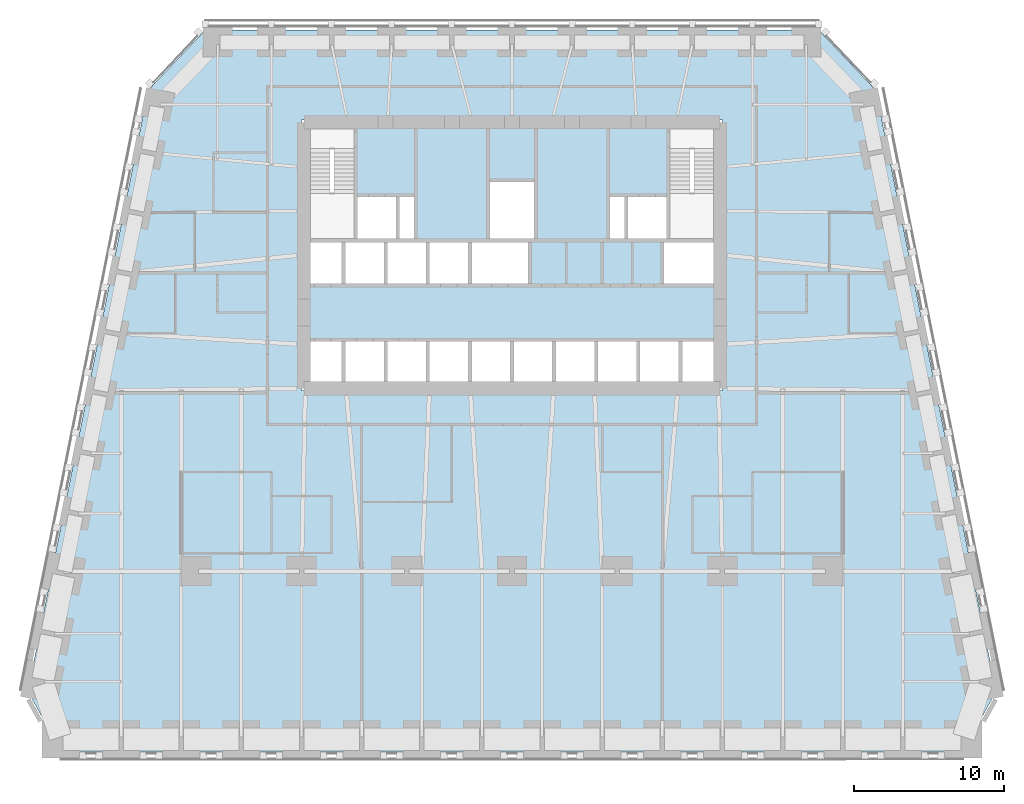
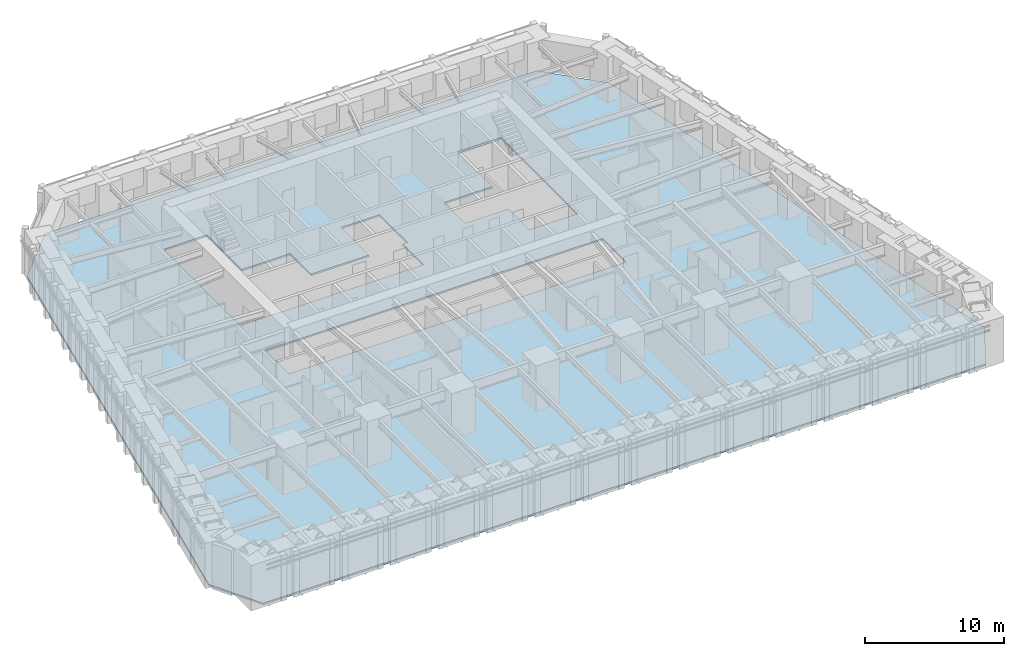
# One storey, part 8 of 16: 1 slab.
"""IFC4 building model written with IfcOpenShell, lengths in metres."""

from ifc_helpers import new_model, si_unit, direction, frame, origin, place, context, subcontext, project, spatial, polyline, outline, extrude, material, layer, layer_set, type_object, element, save


model = new_model("IFC4")

# Units and contexts
model_context = context("Model", 3, precision=1e-05, world=origin(), true_north=direction((0.0, 1.0)))
body_context = subcontext(model_context, "Body", "Model", "MODEL_VIEW")
ifc_project = project(units=[si_unit("LENGTHUNIT", "METRE"), si_unit("AREAUNIT", "SQUARE_METRE"), si_unit("VOLUMEUNIT", "CUBIC_METRE"), si_unit("PLANEANGLEUNIT", "RADIAN"), si_unit("MASSUNIT", "GRAM", prefix="KILO")], contexts=[model_context])

# Site, building, storey
site_placement = place(None, origin())
site = spatial("IfcSite", under=ifc_project, at=site_placement, CompositionType="ELEMENT")
building_placement = place(site_placement, origin())
building = spatial("IfcBuilding", under=site, at=building_placement, Name="Isbrekke Arena Tower", CompositionType="ELEMENT")
storey_placement = place(building_placement, frame((0.0, 0.0, 44.0)))
storey = spatial("IfcBuildingStorey", under=building, at=storey_placement, Name="L08", CompositionType="ELEMENT", Elevation=44.0)

# Slab
ifc_material = material(Name="Concrete B35 (C35/45)", Category="concrete")
ifc_layer = layer(ifc_material, 0.14990234375)
ifc_layer_set = layer_set([ifc_layer], Name="FS1 COMPOSITE FLOOR 150")
slab_type = type_object("IfcSlabType", Name="FS1 COMPOSITE FLOOR 150", PredefinedType="FLOOR", material=ifc_layer_set)
slab_placement = place(storey_placement, frame((0.0, 0.0, -0.14990234375)))
element("IfcSlab", 1, at=slab_placement, inside=storey, type_object=slab_type, Name="FS1 floor slab L08", PredefinedType="FLOOR", context=body_context, shape_type="SweptSolid", body=[
    extrude(outline(polyline([(-30.0, -18.0), (30.0, -18.0), (32.199951171875, -14.0), (24.199951171875, 26.0), (20.39990234375, 30.0), (-20.39990234375, 30.0), (-24.199951171875, 26.0), (-32.199951171875, -14.0), (-30.0, -18.0)]), holes=[polyline([(14.0, 9.39990234375), (14.0, 6.0), (-14.0, 6.0), (-14.0, 9.39990234375), (14.0, 9.39990234375)]), polyline([(-6.39990234375, 19.0), (-6.39990234375, 16.0), (-1.60009765625, 16.0), (-1.60009765625, 20.0), (1.60009765625, 20.0), (1.60009765625, 16.0), (1.199951171875, 16.0), (1.199951171875, 13.0), (-14.0, 13.0), (-14.0, 24.0), (-10.39990234375, 24.0), (-10.39990234375, 19.0), (-6.39990234375, 19.0)]), polyline([(10.0, 13.0), (10.0, 16.0), (6.39990234375, 16.0), (6.39990234375, 19.0), (10.39990234375, 19.0), (10.39990234375, 24.0), (14.0, 24.0), (14.0, 13.0), (10.0, 13.0)])]), origin(), (0.0, 0.0, 1.0), 0.14990234375),
])

save(model, "model.ifc")
